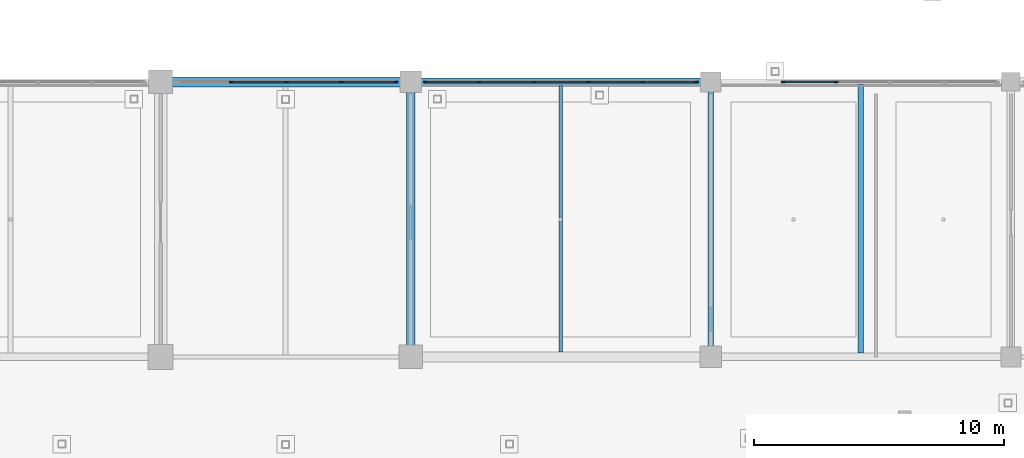
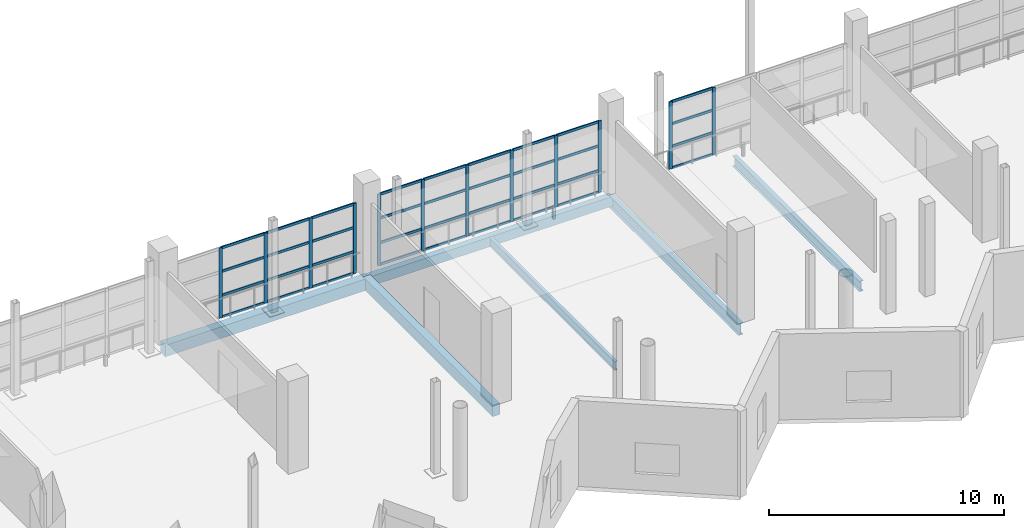
# One storey, part 36 of 143: 48 members, 6 beams, 3 elements without a shape of their own.
"""IFC4 building model written with IfcOpenShell, lengths in metres."""

from ifc_helpers import new_model, si_unit, direction, frame, origin, origin_2d, place, context, subcontext, project, spatial, rectangle, hollow_rectangle, i_section, extrude, material, material_profile, profile_set, type_object, element, aggregate, save


model = new_model("IFC4")

# Units and contexts
model_context = context("Model", 3, precision=1e-05, world=origin(), true_north=direction((0.0, 1.0)))
body_context = subcontext(model_context, "Body", "Model", "MODEL_VIEW")
ifc_project = project(units=[si_unit("LENGTHUNIT", "METRE"), si_unit("AREAUNIT", "SQUARE_METRE"), si_unit("VOLUMEUNIT", "CUBIC_METRE"), si_unit("PLANEANGLEUNIT", "RADIAN"), si_unit("MASSUNIT", "GRAM", prefix="KILO")], contexts=[model_context])

# Site, building, storey
site_placement = place(None, origin())
site = spatial("IfcSite", under=ifc_project, at=site_placement, CompositionType="ELEMENT")
building_placement = place(site_placement, origin())
building = spatial("IfcBuilding", under=site, at=building_placement, Name="Luwafu Chhajja Arena", CompositionType="ELEMENT")
storey_placement = place(building_placement, frame((0.0, 0.0, 5.39990234375)))
storey = spatial("IfcBuildingStorey", under=building, at=storey_placement, Name="L01", CompositionType="ELEMENT", Elevation=5.39990234375)

# Beam
ifc_material_1 = material(Name="Concrete C35/45", Category="concrete")
ifc_material_profile_1 = material_profile(ifc_material_1, rectangle(XDim=0.35009765625, YDim=0.60009765625, at=origin_2d()), Name="RC 350x600")
ifc_profile_set_1 = profile_set([ifc_material_profile_1], Name="Concrete C35/45")
beam_type_1 = type_object("IfcBeamType", Name="Arcade Tie Beam RC 350x600", PredefinedType="BEAM", material=ifc_profile_set_1)
beam_1_placement = place(storey_placement, frame((104.0, 11.0, -0.6298828125), z_axis=(0.0, 1.0, 0.0), x_axis=(-1.0, 0.0, 0.0)))
element("IfcBeam", 1, at=beam_1_placement, inside=storey, type_object=beam_type_1, Name="L01 Grid Beam 10/B-C", PredefinedType="BEAM", context=body_context, shape_type="SweptSolid", body=[
    extrude(rectangle(XDim=0.35009765625, YDim=0.60009765625, at=origin_2d()), origin(), (0.0, 0.0, 1.0), 11.0),
])

# Curtain wall, members
ifc_material_2 = material(Name="Anodised bronze aluminium", Category="aluminium")
curtain_wall_type = type_object("IfcCurtainWallType", Name="Bowl Concourse Chord Curtain Wall", PredefinedType="USERDEFINED", material=ifc_material_2)
curtain_wall_1_placement = place(storey_placement, origin())
curtain_wall_1 = element("IfcCurtainWall", 2, at=curtain_wall_1_placement, inside=storey, type_object=curtain_wall_type, Name="L01 Bowl Viewing Curtain Wall CWR-L01-04", ObjectType="CURTAIN WALL", PredefinedType="USERDEFINED")
ifc_material_profile_2 = material_profile(ifc_material_2, rectangle(XDim=0.06005859375, YDim=0.159912109375, at=origin_2d()), Name="CWM 60x160")
ifc_profile_set_2 = profile_set([ifc_material_profile_2], Name="Anodised bronze aluminium")
member_type_1 = type_object("IfcMemberType", Name="Bronze Curtain Wall Mullion 60x160", PredefinedType="MULLION", material=ifc_profile_set_2)
member_1_placement = place(storey_placement, frame((96.820068359375, 22.0, 0.0), z_axis=(0.0, 0.0, 1.0), x_axis=(0.0, 1.0, 0.0)))
member_1 = element("IfcMember", 3, at=member_1_placement, type_object=member_type_1, Name="CW-01 mullion 2", PredefinedType="MULLION", context=body_context, shape_type="SweptSolid", body=[
    extrude(rectangle(XDim=0.06005859375, YDim=0.159912109375, at=origin_2d()), origin(), (0.0, 0.0, 1.0), 3.64013671875),
])
member_2_placement = place(storey_placement, frame((99.02490234375, 22.0, 0.0), z_axis=(0.0, 0.0, 1.0), x_axis=(0.0, 1.0, 0.0)))
member_2 = element("IfcMember", 4, at=member_2_placement, type_object=member_type_1, Name="CW-01 mullion 3", PredefinedType="MULLION", context=body_context, shape_type="SweptSolid", body=[
    extrude(rectangle(XDim=0.06005859375, YDim=0.159912109375, at=origin_2d()), origin(), (0.0, 0.0, 1.0), 3.64013671875),
])
member_3_placement = place(storey_placement, frame((101.22998046875, 22.0, 0.0), z_axis=(0.0, 0.0, 1.0), x_axis=(0.0, 1.0, 0.0)))
member_3 = element("IfcMember", 5, at=member_3_placement, type_object=member_type_1, Name="CW-01 mullion 4", PredefinedType="MULLION", context=body_context, shape_type="SweptSolid", body=[
    extrude(rectangle(XDim=0.06005859375, YDim=0.159912109375, at=origin_2d()), origin(), (0.0, 0.0, 1.0), 3.64013671875),
])
member_4_placement = place(storey_placement, frame((103.405029296875, 22.0, 0.0), z_axis=(0.0, 0.0, 1.0), x_axis=(0.0, 1.0, 0.0)))
member_4 = element("IfcMember", 6, at=member_4_placement, type_object=member_type_1, Name="CW-01 mullion 5", PredefinedType="MULLION", context=body_context, shape_type="SweptSolid", body=[
    extrude(rectangle(XDim=0.06005859375, YDim=0.159912109375, at=origin_2d()), origin(), (0.0, 0.0, 1.0), 3.64013671875),
])

curtain_wall_2_placement = place(storey_placement, origin())
curtain_wall_2 = element("IfcCurtainWall", 7, at=curtain_wall_2_placement, inside=storey, type_object=curtain_wall_type, Name="L01 Bowl Viewing Curtain Wall CWR-L01-05", ObjectType="CURTAIN WALL", PredefinedType="USERDEFINED")
member_5_placement = place(storey_placement, frame((104.594970703125, 22.0, 0.0), z_axis=(0.0, 0.0, 1.0), x_axis=(0.0, 1.0, 0.0)))
member_5 = element("IfcMember", 8, at=member_5_placement, type_object=member_type_1, Name="CW-01 mullion 1", PredefinedType="MULLION", context=body_context, shape_type="SweptSolid", body=[
    extrude(rectangle(XDim=0.06005859375, YDim=0.159912109375, at=origin_2d()), origin(), (0.0, 0.0, 1.0), 3.70654296875),
])
member_6_placement = place(storey_placement, frame((106.743896484375, 22.0, 0.0), z_axis=(0.0, 0.0, 1.0), x_axis=(0.0, 1.0, 0.0)))
member_6 = element("IfcMember", 9, at=member_6_placement, type_object=member_type_1, Name="CW-01 mullion 2", PredefinedType="MULLION", context=body_context, shape_type="SweptSolid", body=[
    extrude(rectangle(XDim=0.06005859375, YDim=0.159912109375, at=origin_2d()), origin(), (0.0, 0.0, 1.0), 3.70654296875),
])
member_7_placement = place(storey_placement, frame((108.923095703125, 22.0, 0.0), z_axis=(0.0, 0.0, 1.0), x_axis=(0.0, 1.0, 0.0)))
member_7 = element("IfcMember", 10, at=member_7_placement, type_object=member_type_1, Name="CW-01 mullion 3", PredefinedType="MULLION", context=body_context, shape_type="SweptSolid", body=[
    extrude(rectangle(XDim=0.06005859375, YDim=0.159912109375, at=origin_2d()), origin(), (0.0, 0.0, 1.0), 3.70654296875),
])
member_8_placement = place(storey_placement, frame((111.10205078125, 22.0, 0.0), z_axis=(0.0, 0.0, 1.0), x_axis=(0.0, 1.0, 0.0)))
member_8 = element("IfcMember", 11, at=member_8_placement, type_object=member_type_1, Name="CW-01 mullion 4", PredefinedType="MULLION", context=body_context, shape_type="SweptSolid", body=[
    extrude(rectangle(XDim=0.06005859375, YDim=0.159912109375, at=origin_2d()), origin(), (0.0, 0.0, 1.0), 3.70654296875),
])
member_9_placement = place(storey_placement, frame((113.281005859375, 22.0, 0.0), z_axis=(0.0, 0.0, 1.0), x_axis=(0.0, 1.0, 0.0)))
member_9 = element("IfcMember", 12, at=member_9_placement, type_object=member_type_1, Name="CW-01 mullion 5", PredefinedType="MULLION", context=body_context, shape_type="SweptSolid", body=[
    extrude(rectangle(XDim=0.06005859375, YDim=0.159912109375, at=origin_2d()), origin(), (0.0, 0.0, 1.0), 3.70654296875),
])
member_10_placement = place(storey_placement, frame((115.429931640625, 22.0, 0.0), z_axis=(0.0, 0.0, 1.0), x_axis=(0.0, 1.0, 0.0)))
member_10 = element("IfcMember", 13, at=member_10_placement, type_object=member_type_1, Name="CW-01 mullion 6", PredefinedType="MULLION", context=body_context, shape_type="SweptSolid", body=[
    extrude(rectangle(XDim=0.06005859375, YDim=0.159912109375, at=origin_2d()), origin(), (0.0, 0.0, 1.0), 3.70654296875),
])

curtain_wall_3_placement = place(storey_placement, origin())
curtain_wall_3 = element("IfcCurtainWall", 14, at=curtain_wall_3_placement, inside=storey, type_object=curtain_wall_type, Name="L01 Bowl Viewing Curtain Wall CWR-L01-06", ObjectType="CURTAIN WALL", PredefinedType="USERDEFINED")
member_11_placement = place(storey_placement, frame((118.896484375, 22.0, 0.0), z_axis=(0.0, 0.0, 1.0), x_axis=(0.0, 1.0, 0.0)))
member_11 = element("IfcMember", 15, at=member_11_placement, type_object=member_type_1, Name="CW-01 mullion 1", PredefinedType="MULLION", context=body_context, shape_type="SweptSolid", body=[
    extrude(rectangle(XDim=0.06005859375, YDim=0.159912109375, at=origin_2d()), origin(), (0.0, 0.0, 1.0), 3.489990234375),
])
member_12_placement = place(storey_placement, frame((121.021240234375, 22.0, 0.0), z_axis=(0.0, 0.0, 1.0), x_axis=(0.0, 1.0, 0.0)))
member_12 = element("IfcMember", 16, at=member_12_placement, type_object=member_type_1, Name="CW-01 mullion 2", PredefinedType="MULLION", context=body_context, shape_type="SweptSolid", body=[
    extrude(rectangle(XDim=0.06005859375, YDim=0.159912109375, at=origin_2d()), origin(), (0.0, 0.0, 1.0), 3.489990234375),
])

# Member
ifc_material_profile_3 = material_profile(ifc_material_2, rectangle(XDim=0.06005859375, YDim=0.1298828125, at=origin_2d()), Name="CWT 60x130")
ifc_profile_set_3 = profile_set([ifc_material_profile_3], Name="Anodised bronze aluminium")
member_type_2 = type_object("IfcMemberType", Name="Bronze Curtain Wall Transom 60x130", PredefinedType="USERDEFINED", material=ifc_profile_set_3)
member_13_placement = place(storey_placement, frame((96.85009765625, 22.0, 0.030029296875), z_axis=(1.0, 0.0, 0.0), x_axis=(0.0, 1.0, 0.0)))
member_13 = element("IfcMember", 17, at=member_13_placement, type_object=member_type_2, Name="CW-01 transom 2.1", ObjectType="TRANSOM", PredefinedType="USERDEFINED", context=body_context, shape_type="SweptSolid", body=[
    extrude(rectangle(XDim=0.06005859375, YDim=0.1298828125, at=origin_2d()), origin(), (0.0, 0.0, 1.0), 2.14501953125),
])

member_14_placement = place(storey_placement, frame((96.85009765625, 22.0, 1.150146484375), z_axis=(1.0, 0.0, 0.0), x_axis=(0.0, 1.0, 0.0)))
member_14 = element("IfcMember", 18, at=member_14_placement, type_object=member_type_2, Name="CW-01 transom 2.2", ObjectType="TRANSOM", PredefinedType="USERDEFINED", context=body_context, shape_type="SweptSolid", body=[
    extrude(rectangle(XDim=0.06005859375, YDim=0.1298828125, at=origin_2d()), origin(), (0.0, 0.0, 1.0), 2.14501953125),
])

member_15_placement = place(storey_placement, frame((96.85009765625, 22.0, 2.39501953125), z_axis=(1.0, 0.0, 0.0), x_axis=(0.0, 1.0, 0.0)))
member_15 = element("IfcMember", 19, at=member_15_placement, type_object=member_type_2, Name="CW-01 transom 2.3", ObjectType="TRANSOM", PredefinedType="USERDEFINED", context=body_context, shape_type="SweptSolid", body=[
    extrude(rectangle(XDim=0.06005859375, YDim=0.1298828125, at=origin_2d()), origin(), (0.0, 0.0, 1.0), 2.14501953125),
])

member_16_placement = place(storey_placement, frame((96.85009765625, 22.0, 3.610107421875), z_axis=(1.0, 0.0, 0.0), x_axis=(0.0, 1.0, 0.0)))
member_16 = element("IfcMember", 20, at=member_16_placement, type_object=member_type_2, Name="CW-01 transom 2.4", ObjectType="TRANSOM", PredefinedType="USERDEFINED", context=body_context, shape_type="SweptSolid", body=[
    extrude(rectangle(XDim=0.06005859375, YDim=0.1298828125, at=origin_2d()), origin(), (0.0, 0.0, 1.0), 2.14501953125),
])

member_17_placement = place(storey_placement, frame((99.054931640625, 22.0, 0.030029296875), z_axis=(1.0, 0.0, 0.0), x_axis=(0.0, 1.0, 0.0)))
member_17 = element("IfcMember", 21, at=member_17_placement, type_object=member_type_2, Name="CW-01 transom 3.1", ObjectType="TRANSOM", PredefinedType="USERDEFINED", context=body_context, shape_type="SweptSolid", body=[
    extrude(rectangle(XDim=0.06005859375, YDim=0.1298828125, at=origin_2d()), origin(), (0.0, 0.0, 1.0), 2.14501953125),
])

member_18_placement = place(storey_placement, frame((99.054931640625, 22.0, 1.150146484375), z_axis=(1.0, 0.0, 0.0), x_axis=(0.0, 1.0, 0.0)))
member_18 = element("IfcMember", 22, at=member_18_placement, type_object=member_type_2, Name="CW-01 transom 3.2", ObjectType="TRANSOM", PredefinedType="USERDEFINED", context=body_context, shape_type="SweptSolid", body=[
    extrude(rectangle(XDim=0.06005859375, YDim=0.1298828125, at=origin_2d()), origin(), (0.0, 0.0, 1.0), 2.14501953125),
])

member_19_placement = place(storey_placement, frame((99.054931640625, 22.0, 2.39501953125), z_axis=(1.0, 0.0, 0.0), x_axis=(0.0, 1.0, 0.0)))
member_19 = element("IfcMember", 23, at=member_19_placement, type_object=member_type_2, Name="CW-01 transom 3.3", ObjectType="TRANSOM", PredefinedType="USERDEFINED", context=body_context, shape_type="SweptSolid", body=[
    extrude(rectangle(XDim=0.06005859375, YDim=0.1298828125, at=origin_2d()), origin(), (0.0, 0.0, 1.0), 2.14501953125),
])

member_20_placement = place(storey_placement, frame((99.054931640625, 22.0, 3.610107421875), z_axis=(1.0, 0.0, 0.0), x_axis=(0.0, 1.0, 0.0)))
member_20 = element("IfcMember", 24, at=member_20_placement, type_object=member_type_2, Name="CW-01 transom 3.4", ObjectType="TRANSOM", PredefinedType="USERDEFINED", context=body_context, shape_type="SweptSolid", body=[
    extrude(rectangle(XDim=0.06005859375, YDim=0.1298828125, at=origin_2d()), origin(), (0.0, 0.0, 1.0), 2.14501953125),
])

member_21_placement = place(storey_placement, frame((101.260009765625, 22.0, 0.030029296875), z_axis=(1.0, 0.0, 0.0), x_axis=(0.0, 1.0, 0.0)))
member_21 = element("IfcMember", 25, at=member_21_placement, type_object=member_type_2, Name="CW-01 transom 4.1", ObjectType="TRANSOM", PredefinedType="USERDEFINED", context=body_context, shape_type="SweptSolid", body=[
    extrude(rectangle(XDim=0.06005859375, YDim=0.1298828125, at=origin_2d()), origin(), (0.0, 0.0, 1.0), 2.114990234375),
])

member_22_placement = place(storey_placement, frame((101.260009765625, 22.0, 1.150146484375), z_axis=(1.0, 0.0, 0.0), x_axis=(0.0, 1.0, 0.0)))
member_22 = element("IfcMember", 26, at=member_22_placement, type_object=member_type_2, Name="CW-01 transom 4.2", ObjectType="TRANSOM", PredefinedType="USERDEFINED", context=body_context, shape_type="SweptSolid", body=[
    extrude(rectangle(XDim=0.06005859375, YDim=0.1298828125, at=origin_2d()), origin(), (0.0, 0.0, 1.0), 2.114990234375),
])

member_23_placement = place(storey_placement, frame((101.260009765625, 22.0, 2.39501953125), z_axis=(1.0, 0.0, 0.0), x_axis=(0.0, 1.0, 0.0)))
member_23 = element("IfcMember", 27, at=member_23_placement, type_object=member_type_2, Name="CW-01 transom 4.3", ObjectType="TRANSOM", PredefinedType="USERDEFINED", context=body_context, shape_type="SweptSolid", body=[
    extrude(rectangle(XDim=0.06005859375, YDim=0.1298828125, at=origin_2d()), origin(), (0.0, 0.0, 1.0), 2.114990234375),
])

member_24_placement = place(storey_placement, frame((101.260009765625, 22.0, 3.610107421875), z_axis=(1.0, 0.0, 0.0), x_axis=(0.0, 1.0, 0.0)))
member_24 = element("IfcMember", 28, at=member_24_placement, type_object=member_type_2, Name="CW-01 transom 4.4", ObjectType="TRANSOM", PredefinedType="USERDEFINED", context=body_context, shape_type="SweptSolid", body=[
    extrude(rectangle(XDim=0.06005859375, YDim=0.1298828125, at=origin_2d()), origin(), (0.0, 0.0, 1.0), 2.114990234375),
])

aggregate(curtain_wall_1, [member_1, member_2, member_3, member_4, member_13, member_14, member_15, member_16, member_17, member_18, member_19, member_20, member_21, member_22, member_23, member_24])

member_25_placement = place(storey_placement, frame((104.625, 22.0, 0.030029296875), z_axis=(1.0, 0.0, 0.0), x_axis=(0.0, 1.0, 0.0)))
member_25 = element("IfcMember", 29, at=member_25_placement, type_object=member_type_2, Name="CW-01 transom 1.1", ObjectType="TRANSOM", PredefinedType="USERDEFINED", context=body_context, shape_type="SweptSolid", body=[
    extrude(rectangle(XDim=0.06005859375, YDim=0.1298828125, at=origin_2d()), origin(), (0.0, 0.0, 1.0), 2.089111328125),
])

member_26_placement = place(storey_placement, frame((104.625, 22.0, 1.150146484375), z_axis=(1.0, 0.0, 0.0), x_axis=(0.0, 1.0, 0.0)))
member_26 = element("IfcMember", 30, at=member_26_placement, type_object=member_type_2, Name="CW-01 transom 1.2", ObjectType="TRANSOM", PredefinedType="USERDEFINED", context=body_context, shape_type="SweptSolid", body=[
    extrude(rectangle(XDim=0.06005859375, YDim=0.1298828125, at=origin_2d()), origin(), (0.0, 0.0, 1.0), 2.089111328125),
])

member_27_placement = place(storey_placement, frame((104.625, 22.0, 2.428466796875), z_axis=(1.0, 0.0, 0.0), x_axis=(0.0, 1.0, 0.0)))
member_27 = element("IfcMember", 31, at=member_27_placement, type_object=member_type_2, Name="CW-01 transom 1.3", ObjectType="TRANSOM", PredefinedType="USERDEFINED", context=body_context, shape_type="SweptSolid", body=[
    extrude(rectangle(XDim=0.06005859375, YDim=0.1298828125, at=origin_2d()), origin(), (0.0, 0.0, 1.0), 2.089111328125),
])

member_28_placement = place(storey_placement, frame((104.625, 22.0, 3.676513671875), z_axis=(1.0, 0.0, 0.0), x_axis=(0.0, 1.0, 0.0)))
member_28 = element("IfcMember", 32, at=member_28_placement, type_object=member_type_2, Name="CW-01 transom 1.4", ObjectType="TRANSOM", PredefinedType="USERDEFINED", context=body_context, shape_type="SweptSolid", body=[
    extrude(rectangle(XDim=0.06005859375, YDim=0.1298828125, at=origin_2d()), origin(), (0.0, 0.0, 1.0), 2.089111328125),
])

member_29_placement = place(storey_placement, frame((106.77392578125, 22.0, 0.030029296875), z_axis=(1.0, 0.0, 0.0), x_axis=(0.0, 1.0, 0.0)))
member_29 = element("IfcMember", 33, at=member_29_placement, type_object=member_type_2, Name="CW-01 transom 2.1", ObjectType="TRANSOM", PredefinedType="USERDEFINED", context=body_context, shape_type="SweptSolid", body=[
    extrude(rectangle(XDim=0.06005859375, YDim=0.1298828125, at=origin_2d()), origin(), (0.0, 0.0, 1.0), 2.119140625),
])

member_30_placement = place(storey_placement, frame((106.77392578125, 22.0, 1.150146484375), z_axis=(1.0, 0.0, 0.0), x_axis=(0.0, 1.0, 0.0)))
member_30 = element("IfcMember", 34, at=member_30_placement, type_object=member_type_2, Name="CW-01 transom 2.2", ObjectType="TRANSOM", PredefinedType="USERDEFINED", context=body_context, shape_type="SweptSolid", body=[
    extrude(rectangle(XDim=0.06005859375, YDim=0.1298828125, at=origin_2d()), origin(), (0.0, 0.0, 1.0), 2.119140625),
])

member_31_placement = place(storey_placement, frame((106.77392578125, 22.0, 2.428466796875), z_axis=(1.0, 0.0, 0.0), x_axis=(0.0, 1.0, 0.0)))
member_31 = element("IfcMember", 35, at=member_31_placement, type_object=member_type_2, Name="CW-01 transom 2.3", ObjectType="TRANSOM", PredefinedType="USERDEFINED", context=body_context, shape_type="SweptSolid", body=[
    extrude(rectangle(XDim=0.06005859375, YDim=0.1298828125, at=origin_2d()), origin(), (0.0, 0.0, 1.0), 2.119140625),
])

member_32_placement = place(storey_placement, frame((106.77392578125, 22.0, 3.676513671875), z_axis=(1.0, 0.0, 0.0), x_axis=(0.0, 1.0, 0.0)))
member_32 = element("IfcMember", 36, at=member_32_placement, type_object=member_type_2, Name="CW-01 transom 2.4", ObjectType="TRANSOM", PredefinedType="USERDEFINED", context=body_context, shape_type="SweptSolid", body=[
    extrude(rectangle(XDim=0.06005859375, YDim=0.1298828125, at=origin_2d()), origin(), (0.0, 0.0, 1.0), 2.119140625),
])

member_33_placement = place(storey_placement, frame((108.952880859375, 22.0, 0.030029296875), z_axis=(1.0, 0.0, 0.0), x_axis=(0.0, 1.0, 0.0)))
member_33 = element("IfcMember", 37, at=member_33_placement, type_object=member_type_2, Name="CW-01 transom 3.1", ObjectType="TRANSOM", PredefinedType="USERDEFINED", context=body_context, shape_type="SweptSolid", body=[
    extrude(rectangle(XDim=0.06005859375, YDim=0.1298828125, at=origin_2d()), origin(), (0.0, 0.0, 1.0), 2.119140625),
])

member_34_placement = place(storey_placement, frame((108.952880859375, 22.0, 1.150146484375), z_axis=(1.0, 0.0, 0.0), x_axis=(0.0, 1.0, 0.0)))
member_34 = element("IfcMember", 38, at=member_34_placement, type_object=member_type_2, Name="CW-01 transom 3.2", ObjectType="TRANSOM", PredefinedType="USERDEFINED", context=body_context, shape_type="SweptSolid", body=[
    extrude(rectangle(XDim=0.06005859375, YDim=0.1298828125, at=origin_2d()), origin(), (0.0, 0.0, 1.0), 2.119140625),
])

member_35_placement = place(storey_placement, frame((108.952880859375, 22.0, 2.428466796875), z_axis=(1.0, 0.0, 0.0), x_axis=(0.0, 1.0, 0.0)))
member_35 = element("IfcMember", 39, at=member_35_placement, type_object=member_type_2, Name="CW-01 transom 3.3", ObjectType="TRANSOM", PredefinedType="USERDEFINED", context=body_context, shape_type="SweptSolid", body=[
    extrude(rectangle(XDim=0.06005859375, YDim=0.1298828125, at=origin_2d()), origin(), (0.0, 0.0, 1.0), 2.119140625),
])

member_36_placement = place(storey_placement, frame((108.952880859375, 22.0, 3.676513671875), z_axis=(1.0, 0.0, 0.0), x_axis=(0.0, 1.0, 0.0)))
member_36 = element("IfcMember", 40, at=member_36_placement, type_object=member_type_2, Name="CW-01 transom 3.4", ObjectType="TRANSOM", PredefinedType="USERDEFINED", context=body_context, shape_type="SweptSolid", body=[
    extrude(rectangle(XDim=0.06005859375, YDim=0.1298828125, at=origin_2d()), origin(), (0.0, 0.0, 1.0), 2.119140625),
])

member_37_placement = place(storey_placement, frame((111.132080078125, 22.0, 0.030029296875), z_axis=(1.0, 0.0, 0.0), x_axis=(0.0, 1.0, 0.0)))
member_37 = element("IfcMember", 41, at=member_37_placement, type_object=member_type_2, Name="CW-01 transom 4.1", ObjectType="TRANSOM", PredefinedType="USERDEFINED", context=body_context, shape_type="SweptSolid", body=[
    extrude(rectangle(XDim=0.06005859375, YDim=0.1298828125, at=origin_2d()), origin(), (0.0, 0.0, 1.0), 2.118896484375),
])

member_38_placement = place(storey_placement, frame((111.132080078125, 22.0, 1.150146484375), z_axis=(1.0, 0.0, 0.0), x_axis=(0.0, 1.0, 0.0)))
member_38 = element("IfcMember", 42, at=member_38_placement, type_object=member_type_2, Name="CW-01 transom 4.2", ObjectType="TRANSOM", PredefinedType="USERDEFINED", context=body_context, shape_type="SweptSolid", body=[
    extrude(rectangle(XDim=0.06005859375, YDim=0.1298828125, at=origin_2d()), origin(), (0.0, 0.0, 1.0), 2.118896484375),
])

member_39_placement = place(storey_placement, frame((111.132080078125, 22.0, 2.428466796875), z_axis=(1.0, 0.0, 0.0), x_axis=(0.0, 1.0, 0.0)))
member_39 = element("IfcMember", 43, at=member_39_placement, type_object=member_type_2, Name="CW-01 transom 4.3", ObjectType="TRANSOM", PredefinedType="USERDEFINED", context=body_context, shape_type="SweptSolid", body=[
    extrude(rectangle(XDim=0.06005859375, YDim=0.1298828125, at=origin_2d()), origin(), (0.0, 0.0, 1.0), 2.118896484375),
])

member_40_placement = place(storey_placement, frame((111.132080078125, 22.0, 3.676513671875), z_axis=(1.0, 0.0, 0.0), x_axis=(0.0, 1.0, 0.0)))
member_40 = element("IfcMember", 44, at=member_40_placement, type_object=member_type_2, Name="CW-01 transom 4.4", ObjectType="TRANSOM", PredefinedType="USERDEFINED", context=body_context, shape_type="SweptSolid", body=[
    extrude(rectangle(XDim=0.06005859375, YDim=0.1298828125, at=origin_2d()), origin(), (0.0, 0.0, 1.0), 2.118896484375),
])

member_41_placement = place(storey_placement, frame((113.31103515625, 22.0, 0.030029296875), z_axis=(1.0, 0.0, 0.0), x_axis=(0.0, 1.0, 0.0)))
member_41 = element("IfcMember", 45, at=member_41_placement, type_object=member_type_2, Name="CW-01 transom 5.1", ObjectType="TRANSOM", PredefinedType="USERDEFINED", context=body_context, shape_type="SweptSolid", body=[
    extrude(rectangle(XDim=0.06005859375, YDim=0.1298828125, at=origin_2d()), origin(), (0.0, 0.0, 1.0), 2.0888671875),
])

member_42_placement = place(storey_placement, frame((113.31103515625, 22.0, 1.150146484375), z_axis=(1.0, 0.0, 0.0), x_axis=(0.0, 1.0, 0.0)))
member_42 = element("IfcMember", 46, at=member_42_placement, type_object=member_type_2, Name="CW-01 transom 5.2", ObjectType="TRANSOM", PredefinedType="USERDEFINED", context=body_context, shape_type="SweptSolid", body=[
    extrude(rectangle(XDim=0.06005859375, YDim=0.1298828125, at=origin_2d()), origin(), (0.0, 0.0, 1.0), 2.0888671875),
])

member_43_placement = place(storey_placement, frame((113.31103515625, 22.0, 2.428466796875), z_axis=(1.0, 0.0, 0.0), x_axis=(0.0, 1.0, 0.0)))
member_43 = element("IfcMember", 47, at=member_43_placement, type_object=member_type_2, Name="CW-01 transom 5.3", ObjectType="TRANSOM", PredefinedType="USERDEFINED", context=body_context, shape_type="SweptSolid", body=[
    extrude(rectangle(XDim=0.06005859375, YDim=0.1298828125, at=origin_2d()), origin(), (0.0, 0.0, 1.0), 2.0888671875),
])

member_44_placement = place(storey_placement, frame((113.31103515625, 22.0, 3.676513671875), z_axis=(1.0, 0.0, 0.0), x_axis=(0.0, 1.0, 0.0)))
member_44 = element("IfcMember", 48, at=member_44_placement, type_object=member_type_2, Name="CW-01 transom 5.4", ObjectType="TRANSOM", PredefinedType="USERDEFINED", context=body_context, shape_type="SweptSolid", body=[
    extrude(rectangle(XDim=0.06005859375, YDim=0.1298828125, at=origin_2d()), origin(), (0.0, 0.0, 1.0), 2.0888671875),
])

aggregate(curtain_wall_2, [member_5, member_6, member_7, member_8, member_9, member_10, member_25, member_26, member_27, member_28, member_29, member_30, member_31, member_32, member_33, member_34, member_35, member_36, member_37, member_38, member_39, member_40, member_41, member_42, member_43, member_44])

member_45_placement = place(storey_placement, frame((118.926513671875, 22.0, 0.030029296875), z_axis=(1.0, 0.0, 0.0), x_axis=(0.0, 1.0, 0.0)))
member_45 = element("IfcMember", 49, at=member_45_placement, type_object=member_type_2, Name="CW-01 transom 1.1", ObjectType="TRANSOM", PredefinedType="USERDEFINED", context=body_context, shape_type="SweptSolid", body=[
    extrude(rectangle(XDim=0.06005859375, YDim=0.1298828125, at=origin_2d()), origin(), (0.0, 0.0, 1.0), 2.064697265625),
])

member_46_placement = place(storey_placement, frame((118.926513671875, 22.0, 1.150146484375), z_axis=(1.0, 0.0, 0.0), x_axis=(0.0, 1.0, 0.0)))
member_46 = element("IfcMember", 50, at=member_46_placement, type_object=member_type_2, Name="CW-01 transom 1.2", ObjectType="TRANSOM", PredefinedType="USERDEFINED", context=body_context, shape_type="SweptSolid", body=[
    extrude(rectangle(XDim=0.06005859375, YDim=0.1298828125, at=origin_2d()), origin(), (0.0, 0.0, 1.0), 2.064697265625),
])

member_47_placement = place(storey_placement, frame((118.926513671875, 22.0, 2.320068359375), z_axis=(1.0, 0.0, 0.0), x_axis=(0.0, 1.0, 0.0)))
member_47 = element("IfcMember", 51, at=member_47_placement, type_object=member_type_2, Name="CW-01 transom 1.3", ObjectType="TRANSOM", PredefinedType="USERDEFINED", context=body_context, shape_type="SweptSolid", body=[
    extrude(rectangle(XDim=0.06005859375, YDim=0.1298828125, at=origin_2d()), origin(), (0.0, 0.0, 1.0), 2.064697265625),
])

member_48_placement = place(storey_placement, frame((118.926513671875, 22.0, 3.460205078125), z_axis=(1.0, 0.0, 0.0), x_axis=(0.0, 1.0, 0.0)))
member_48 = element("IfcMember", 52, at=member_48_placement, type_object=member_type_2, Name="CW-01 transom 1.4", ObjectType="TRANSOM", PredefinedType="USERDEFINED", context=body_context, shape_type="SweptSolid", body=[
    extrude(rectangle(XDim=0.06005859375, YDim=0.1298828125, at=origin_2d()), origin(), (0.0, 0.0, 1.0), 2.064697265625),
])

aggregate(curtain_wall_3, [member_11, member_12, member_45, member_46, member_47, member_48])

# Beams
ifc_material_3 = material(Name="Steel S355", Category="steel")
ifc_material_profile_4 = material_profile(ifc_material_3, i_section(OverallWidth=0.15283203125, OverallDepth=0.45458984375, WebThickness=0.008056640625, FlangeThickness=0.01318359375, at=origin_2d()), Name="UB 457x152x60")
ifc_profile_set_4 = profile_set([ifc_material_profile_4], Name="Steel S355")
beam_type_2 = type_object("IfcBeamType", Name="Floor Joist UB 457x152x60", PredefinedType="JOIST", material=ifc_profile_set_4)
beam_2_placement = place(storey_placement, frame((110.0, 11.199951171875, -0.55712890625), z_axis=(0.0, 1.0, 0.0), x_axis=(-1.0, 0.0, 0.0)))
element("IfcBeam", 53, at=beam_2_placement, inside=storey, type_object=beam_type_2, Name="L01 Secondary Joist 10-11/B", PredefinedType="JOIST", context=body_context, shape_type="SweptSolid", body=[
    extrude(i_section(OverallWidth=0.15283203125, OverallDepth=0.45458984375, WebThickness=0.008056640625, FlangeThickness=0.01318359375, at=origin_2d()), origin(), (0.0, 0.0, 1.0), 10.650146484375),
])
ifc_material_profile_5 = material_profile(ifc_material_3, i_section(OverallWidth=0.2099609375, OverallDepth=0.53662109375, WebThickness=0.0107421875, FlangeThickness=0.017333984375, at=origin_2d()), Name="UB 533x210x101")
ifc_profile_set_5 = profile_set([ifc_material_profile_5], Name="Steel S355")
beam_type_3 = type_object("IfcBeamType", Name="Floor Joist UB 533x210x101", PredefinedType="JOIST", material=ifc_profile_set_5)
beam_3_placement = place(storey_placement, frame((122.0, 11.14990234375, -0.59814453125), z_axis=(0.0, 1.0, 0.0), x_axis=(-1.0, 0.0, 0.0)))
element("IfcBeam", 54, at=beam_3_placement, inside=storey, type_object=beam_type_3, Name="L01 Secondary Joist 11-12/B", PredefinedType="JOIST", context=body_context, shape_type="SweptSolid", body=[
    extrude(i_section(OverallWidth=0.2099609375, OverallDepth=0.53662109375, WebThickness=0.0107421875, FlangeThickness=0.017333984375, at=origin_2d()), origin(), (0.0, 0.0, 1.0), 10.76708984375),
])
ifc_material_profile_6 = material_profile(ifc_material_3, hollow_rectangle(XDim=0.300048828125, YDim=0.5, WallThickness=0.02001953125, at=origin_2d()), Name="RHS 500x300x20")
ifc_profile_set_6 = profile_set([ifc_material_profile_6], Name="Steel S355")
beam_type_4 = type_object("IfcBeamType", Name="Pleated Drum Spandrel Beam RHS 500x300", PredefinedType="SPANDREL", material=ifc_profile_set_6)
beam_4_placement = place(storey_placement, frame((104.0, 22.0, -0.579833984375), z_axis=(1.0, 0.0, 0.0), x_axis=(0.0, 1.0, 0.0)))
element("IfcBeam", 55, at=beam_4_placement, inside=storey, type_object=beam_type_4, Name="L01 Grid Beam 10-11/C", PredefinedType="SPANDREL", context=body_context, shape_type="SweptSolid", body=[
    extrude(hollow_rectangle(XDim=0.300048828125, YDim=0.5, WallThickness=0.02001953125, at=origin_2d()), origin(), (0.0, 0.0, 1.0), 12.0),
])
ifc_material_profile_7 = material_profile(ifc_material_1, rectangle(XDim=0.39990234375, YDim=0.60009765625, at=origin_2d()), Name="RC 400x600")
ifc_profile_set_7 = profile_set([ifc_material_profile_7], Name="Concrete C35/45")
beam_type_5 = type_object("IfcBeamType", Name="Podium Perimeter Spandrel RC 400x600", PredefinedType="SPANDREL", material=ifc_profile_set_7)
beam_5_placement = place(storey_placement, frame((94.0, 22.0, -0.6298828125), z_axis=(1.0, 0.0, 0.0), x_axis=(0.0, 1.0, 0.0)))
element("IfcBeam", 56, at=beam_5_placement, inside=storey, type_object=beam_type_5, Name="L01 Grid Beam 9-10/C", PredefinedType="SPANDREL", context=body_context, shape_type="SweptSolid", body=[
    extrude(rectangle(XDim=0.39990234375, YDim=0.60009765625, at=origin_2d()), origin(), (0.0, 0.0, 1.0), 10.0),
])
ifc_material_profile_8 = material_profile(ifc_material_3, i_section(OverallWidth=0.22900390625, OverallDepth=0.6123046875, WebThickness=0.011962890625, FlangeThickness=0.01953125, at=origin_2d()), Name="UB 610x229x125")
ifc_profile_set_8 = profile_set([ifc_material_profile_8], Name="Steel S355")
beam_type_6 = type_object("IfcBeamType", Name="Steel Mezzanine Girder UB 610x229x125", PredefinedType="BEAM", material=ifc_profile_set_8)
beam_6_placement = place(storey_placement, frame((116.0, 11.0, -0.635986328125), z_axis=(0.0, 1.0, 0.0), x_axis=(-1.0, 0.0, 0.0)))
element("IfcBeam", 57, at=beam_6_placement, inside=storey, type_object=beam_type_6, Name="L01 Grid Beam 11/B-C", PredefinedType="BEAM", context=body_context, shape_type="SweptSolid", body=[
    extrude(i_section(OverallWidth=0.22900390625, OverallDepth=0.6123046875, WebThickness=0.011962890625, FlangeThickness=0.01953125, at=origin_2d()), origin(), (0.0, 0.0, 1.0), 11.0),
])

save(model, "model.ifc")
